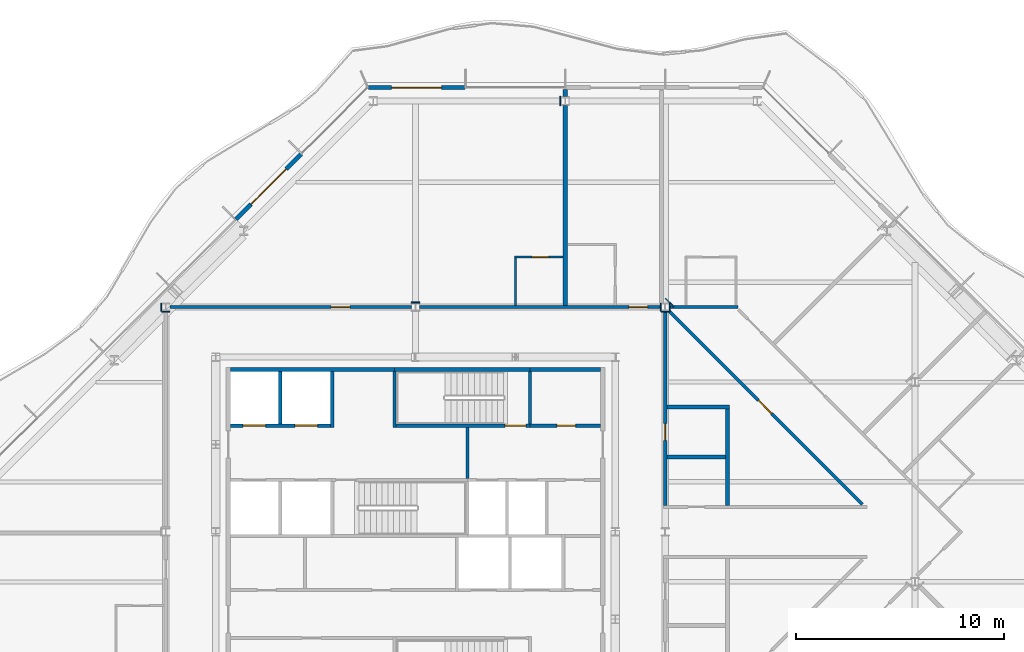
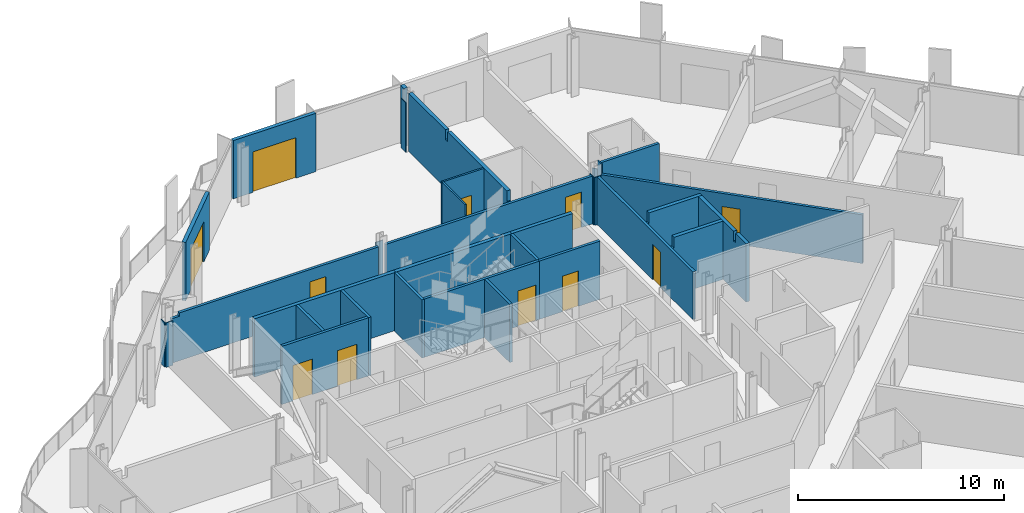
# One storey, part 11 of 17: 33 walls, 11 doors, 11 openings.
"""IFC4 building model written with IfcOpenShell, lengths in metres."""

from ifc_helpers import new_model, si_unit, direction, frame, frame_2d, origin, place, context, subcontext, project, spatial, polyline, rectangle, outline, extrude, material, layer, layer_set, type_object, element, fill, save


model = new_model("IFC4")

# Units and contexts
model_context = context("Model", 3, precision=1e-05, world=origin(), true_north=direction((0.0, 1.0)))
body_context = subcontext(model_context, "Body", "Model", "MODEL_VIEW")
ifc_project = project(units=[si_unit("LENGTHUNIT", "METRE"), si_unit("AREAUNIT", "SQUARE_METRE"), si_unit("VOLUMEUNIT", "CUBIC_METRE"), si_unit("PLANEANGLEUNIT", "RADIAN"), si_unit("MASSUNIT", "GRAM", prefix="KILO")], contexts=[model_context])

# Site, building, storey
site_placement = place(None, origin())
site = spatial("IfcSite", under=ifc_project, at=site_placement, CompositionType="ELEMENT")
building_placement = place(site_placement, origin())
building = spatial("IfcBuilding", under=site, at=building_placement, Name="Cairn Pilgrim Tower", CompositionType="ELEMENT")
storey_placement = place(building_placement, frame((0.0, 0.0, 228.60009765625)))
storey = spatial("IfcBuildingStorey", under=building, at=storey_placement, Name="L58", CompositionType="ELEMENT", Elevation=228.60009765625)

# Wall, opening, door
ifc_material_1 = material(Name="Bronze anodised aluminium insulated sandwich panel with mineral wool fill", Category="aluminium")
ifc_layer_1 = layer(ifc_material_1, 0.199951171875)
ifc_layer_set_1 = layer_set([ifc_layer_1], Name="BRONZE INFILL FRAME WALL 200")
wall_type_1 = type_object("IfcWallType", Name="BRONZE INFILL FRAME WALL 200", PredefinedType="NOTDEFINED", material=ifc_layer_set_1)
wall_1_placement = place(storey_placement, frame((9.570068359375, 23.75, 0.0), z_axis=(0.0, 0.0, 1.0), x_axis=(-1.0, 0.0, 0.0)))
wall_1 = element("IfcWall", 1, at=wall_1_placement, inside=storey, type_object=wall_type_1, Name="Bronze infill frame wall IW-N4", PredefinedType="NOTDEFINED", context=body_context, shape_type="SweptSolid", body=[
    extrude(rectangle(XDim=4.62646484375, YDim=0.199951171875, at=frame_2d((2.313232421875, 0.0))), origin(), (0.0, 0.0, 1.0), 3.449951171875),
])
opening_1_placement = place(wall_1_placement, frame((1.117919921875, 0.0, 0.0)))
opening_1 = element("IfcOpeningElement", 2, at=opening_1_placement, cuts=wall_1, Name="Opening 5810B", PredefinedType="OPENING", context=body_context, shape_type="SweptSolid", body=[
    extrude(rectangle(XDim=2.39990234375, YDim=2.39990234375, at=frame_2d((1.199951171875, 1.199951171875))), frame((0.0, 0.10986328125, 0.0), z_axis=(0.0, -1.0, 0.0), x_axis=(1.0, 0.0, 0.0)), (0.0, 0.0, 1.0), 0.219970703125),
])
ifc_material_2 = material(Name="Bronze anodised aluminium frame with tinted low-E glass", Category="aluminium")
door_type_1 = type_object("IfcDoorType", Name="BALCONY SLIDING DOOR 2400x2400", OperationType="DOUBLE_DOOR_SLIDING", PredefinedType="DOOR", material=ifc_material_2)
door_1_placement = place(opening_1_placement, origin())
door_1 = element("IfcDoor", 3, at=door_1_placement, inside=storey, type_object=door_type_1, Name="Balcony sliding door 5810B", OperationType="SINGLE_SWING_LEFT", OverallHeight=2.39990234375, OverallWidth=2.39990234375, PredefinedType="DOOR", context=body_context, shape_type="SweptSolid", body=[
    extrude(rectangle(XDim=2.39990234375, YDim=2.39990234375, at=frame_2d((1.199951171875, 1.199951171875))), frame((0.0, 0.02490234375, 0.0), z_axis=(0.0, -1.0, 0.0), x_axis=(1.0, 0.0, 0.0)), (0.0, 0.0, 1.0), 0.050048828125),
])
fill(opening_1, door_1)

wall_2_placement = place(storey_placement, frame((1.706787109375, 20.55322265625, 0.0), z_axis=(0.0, 0.0, 1.0), x_axis=(-0.707106781187, -0.707106781187, 0.0)))
wall_2 = element("IfcWall", 4, at=wall_2_placement, inside=storey, type_object=wall_type_1, Name="Bronze infill frame wall IW-NW2", PredefinedType="NOTDEFINED", context=body_context, shape_type="SweptSolid", body=[
    extrude(rectangle(XDim=4.43115234375, YDim=0.199951171875, at=frame_2d((2.215576171875, 0.0))), origin(), (0.0, 0.0, 1.0), 3.449951171875),
])
opening_2_placement = place(wall_2_placement, frame((1.015380859375, 0.0, 0.0)))
opening_2 = element("IfcOpeningElement", 5, at=opening_2_placement, cuts=wall_2, Name="Opening 5810B2", PredefinedType="OPENING", context=body_context, shape_type="SweptSolid", body=[
    extrude(rectangle(XDim=2.39990234375, YDim=2.39990234375, at=frame_2d((1.199951171875, 1.199951171875))), frame((0.0, 0.10986328125, 0.0), z_axis=(0.0, -1.0, 0.0), x_axis=(1.0, 0.0, 0.0)), (0.0, 0.0, 1.0), 0.219970703125),
])
door_2_placement = place(opening_2_placement, origin())
door_2 = element("IfcDoor", 6, at=door_2_placement, inside=storey, type_object=door_type_1, Name="Balcony sliding door 5810B2", OperationType="SINGLE_SWING_LEFT", OverallHeight=2.39990234375, OverallWidth=2.39990234375, PredefinedType="DOOR", context=body_context, shape_type="SweptSolid", body=[
    extrude(rectangle(XDim=2.39990234375, YDim=2.39990234375, at=frame_2d((1.199951171875, 1.199951171875))), frame((0.0, 0.02490234375, 0.0), z_axis=(0.0, -1.0, 0.0), x_axis=(1.0, 0.0, 0.0)), (0.0, 0.0, 1.0), 0.050048828125),
])
fill(opening_2, door_2)

# Walls
ifc_material_3 = material(Name="Concrete C32/40", Category="concrete")
ifc_layer_2 = layer(ifc_material_3, 0.199951171875)
ifc_layer_set_2 = layer_set([ifc_layer_2], Name="CORE OUTER WALL 200 EI 120")
wall_type_2 = type_object("IfcWallType", Name="CORE OUTER WALL 200 EI 120", PredefinedType="SOLIDWALL", material=ifc_layer_set_2)
wall_3_placement = place(storey_placement, frame((-1.699951171875, 10.199951171875, 0.0), z_axis=(0.0, 0.0, 1.0), x_axis=(1.0, 0.0, 0.0)))
element("IfcWall", 7, at=wall_3_placement, inside=storey, type_object=wall_type_2, Name="CW:L58:H12-1", PredefinedType="SOLIDWALL", context=body_context, shape_type="SweptSolid", body=[
    extrude(rectangle(XDim=7.89990234375, YDim=0.199951171875, at=frame_2d((3.949951171875, 0.0))), origin(), (0.0, 0.0, 1.0), 3.449951171875),
])
wall_4_placement = place(storey_placement, frame((12.699951171875, 10.199951171875, 0.0), z_axis=(0.0, 0.0, 1.0), x_axis=(1.0, 0.0, 0.0)))
element("IfcWall", 8, at=wall_4_placement, inside=storey, type_object=wall_type_2, Name="CW:L58:H12-3", PredefinedType="SOLIDWALL", context=body_context, shape_type="SweptSolid", body=[
    extrude(rectangle(XDim=3.400146484375, YDim=0.199951171875, at=frame_2d((1.7001953125, 0.0))), origin(), (0.0, 0.0, 1.0), 3.449951171875),
])

# Wall, openings, doors
ifc_layer_3 = layer(ifc_material_3, 0.14990234375)
ifc_layer_set_3 = layer_set([ifc_layer_3], Name="CORE SHAFT WALL 150 EI 120")
wall_type_3 = type_object("IfcWallType", Name="CORE SHAFT WALL 150 EI 120", PredefinedType="SOLIDWALL", material=ifc_layer_set_3)
wall_5_placement = place(storey_placement, frame((-1.699951171875, 7.5, 0.0), z_axis=(0.0, 0.0, 1.0), x_axis=(1.0, 0.0, 0.0)))
wall_5 = element("IfcWall", 9, at=wall_5_placement, inside=storey, type_object=wall_type_3, Name="CW:L58:H10", PredefinedType="SOLIDWALL", context=body_context, shape_type="SweptSolid", body=[
    extrude(rectangle(XDim=4.824951171875, YDim=0.14990234375, at=frame_2d((2.41259765625, 0.0))), origin(), (0.0, 0.0, 1.0), 3.449951171875),
])
opening_3_placement = place(wall_5_placement, frame((0.60009765625, 0.0, 0.0)))
opening_3 = element("IfcOpeningElement", 10, at=opening_3_placement, cuts=wall_5, Name="Opening LD-HR3", PredefinedType="OPENING", context=body_context, shape_type="SweptSolid", body=[
    extrude(rectangle(XDim=1.10009765625, YDim=2.10009765625, at=frame_2d((0.550048828125, 1.050048828125))), frame((0.0, 0.0849609375, 0.0), z_axis=(0.0, -1.0, 0.0), x_axis=(1.0, 0.0, 0.0)), (0.0, 0.0, 1.0), 0.169921875),
])
opening_4_placement = place(wall_5_placement, frame((3.10009765625, 0.0, 0.0)))
opening_4 = element("IfcOpeningElement", 11, at=opening_4_placement, cuts=wall_5, Name="Opening LD-HR4", PredefinedType="OPENING", context=body_context, shape_type="SweptSolid", body=[
    extrude(rectangle(XDim=1.10009765625, YDim=2.10009765625, at=frame_2d((0.550048828125, 1.050048828125))), frame((0.0, 0.0849609375, 0.0), z_axis=(0.0, -1.0, 0.0), x_axis=(1.0, 0.0, 0.0)), (0.0, 0.0, 1.0), 0.169921875),
])
ifc_material_4 = material(Name="Stainless steel", Category="steel")
door_type_2 = type_object("IfcDoorType", Name="LIFT LANDING DOOR 1100x2100", OperationType="DOUBLE_DOOR_SLIDING", PredefinedType="DOOR", material=ifc_material_4)
door_3_placement = place(opening_3_placement, origin())
door_3 = element("IfcDoor", 12, at=door_3_placement, inside=storey, type_object=door_type_2, Name="LANDING DOOR HR3", OperationType="DOUBLE_DOOR_SLIDING", OverallHeight=2.10009765625, OverallWidth=1.10009765625, PredefinedType="DOOR", context=body_context, shape_type="SweptSolid", body=[
    extrude(rectangle(XDim=1.10009765625, YDim=2.10009765625, at=frame_2d((0.550048828125, 1.050048828125))), frame((0.0, 0.02490234375, 0.0), z_axis=(0.0, -1.0, 0.0), x_axis=(1.0, 0.0, 0.0)), (0.0, 0.0, 1.0), 0.050048828125),
])
fill(opening_3, door_3)
door_4_placement = place(opening_4_placement, origin())
door_4 = element("IfcDoor", 13, at=door_4_placement, inside=storey, type_object=door_type_2, Name="LANDING DOOR HR4", OperationType="DOUBLE_DOOR_SLIDING", OverallHeight=2.10009765625, OverallWidth=1.10009765625, PredefinedType="DOOR", context=body_context, shape_type="SweptSolid", body=[
    extrude(rectangle(XDim=1.10009765625, YDim=2.10009765625, at=frame_2d((0.550048828125, 1.050048828125))), frame((0.0, 0.02490234375, 0.0), z_axis=(0.0, -1.0, 0.0), x_axis=(1.0, 0.0, 0.0)), (0.0, 0.0, 1.0), 0.050048828125),
])
fill(opening_4, door_4)

# Wall, opening, door
wall_6_placement = place(storey_placement, frame((12.699951171875, 7.5, 0.0), z_axis=(0.0, 0.0, 1.0), x_axis=(1.0, 0.0, 0.0)))
wall_6 = element("IfcWall", 14, at=wall_6_placement, inside=storey, type_object=wall_type_3, Name="CW:L58:H11-2", PredefinedType="SOLIDWALL", context=body_context, shape_type="SweptSolid", body=[
    extrude(rectangle(XDim=3.400146484375, YDim=0.14990234375, at=frame_2d((1.7001953125, 0.0))), origin(), (0.0, 0.0, 1.0), 3.449951171875),
])
opening_5_placement = place(wall_6_placement, frame((1.300048828125, 0.0, 0.0)))
opening_5 = element("IfcOpeningElement", 15, at=opening_5_placement, cuts=wall_6, Name="Opening RD-R4E", PredefinedType="OPENING", context=body_context, shape_type="SweptSolid", body=[
    extrude(rectangle(XDim=0.89990234375, YDim=2.10009765625, at=frame_2d((0.449951171875, 1.050048828125))), frame((0.0, 0.0849609375, 0.0), z_axis=(0.0, -1.0, 0.0), x_axis=(1.0, 0.0, 0.0)), (0.0, 0.0, 1.0), 0.169921875),
])
ifc_material_5 = material(Name="Painted steel", Category="steel")
door_type_3 = type_object("IfcDoorType", Name="SERVICE ROOM DOOR 900x2100", OperationType="SINGLE_SWING_LEFT", PredefinedType="DOOR", material=ifc_material_5)
door_5_placement = place(opening_5_placement, origin())
door_5 = element("IfcDoor", 16, at=door_5_placement, inside=storey, type_object=door_type_3, Name="RD-R4E", OperationType="SINGLE_SWING_RIGHT", OverallHeight=2.10009765625, OverallWidth=0.89990234375, PredefinedType="DOOR", context=body_context, shape_type="SweptSolid", body=[
    extrude(rectangle(XDim=0.89990234375, YDim=2.10009765625, at=frame_2d((0.449951171875, 1.050048828125))), frame((0.0, 0.02490234375, 0.0), z_axis=(0.0, -1.0, 0.0), x_axis=(1.0, 0.0, 0.0)), (0.0, 0.0, 1.0), 0.050048828125),
])
fill(opening_5, door_5)

# Walls
wall_7_placement = place(storey_placement, frame((0.699951171875, 7.574951171875, 0.0), z_axis=(0.0, 0.0, 1.0), x_axis=(0.0, 1.0, 0.0)))
element("IfcWall", 17, at=wall_7_placement, inside=storey, type_object=wall_type_3, Name="CW:L58:V15", PredefinedType="SOLIDWALL", context=body_context, shape_type="SweptSolid", body=[
    extrude(rectangle(XDim=2.525146484375, YDim=0.14990234375, at=frame_2d((1.2626953125, 0.0))), origin(), (0.0, 0.0, 1.0), 3.449951171875),
])
wall_8_placement = place(storey_placement, frame((3.199951171875, 7.425048828125, 0.0), z_axis=(0.0, 0.0, 1.0), x_axis=(0.0, 1.0, 0.0)))
element("IfcWall", 18, at=wall_8_placement, inside=storey, type_object=wall_type_3, Name="CW:L58:V18", PredefinedType="SOLIDWALL", context=body_context, shape_type="SweptSolid", body=[
    extrude(rectangle(XDim=2.675048828125, YDim=0.14990234375, at=frame_2d((1.33740234375, 0.0))), origin(), (0.0, 0.0, 1.0), 3.449951171875),
])
wall_9_placement = place(storey_placement, frame((9.699951171875, 4.97509765625, 0.0), z_axis=(0.0, 0.0, 1.0), x_axis=(0.0, 1.0, 0.0)))
element("IfcWall", 19, at=wall_9_placement, inside=storey, type_object=wall_type_3, Name="CW:L58:V23", PredefinedType="SOLIDWALL", context=body_context, shape_type="SweptSolid", body=[
    extrude(rectangle(XDim=2.449951171875, YDim=0.14990234375, at=frame_2d((1.22509765625, 0.0))), origin(), (0.0, 0.0, 1.0), 3.449951171875),
])
ifc_material_6 = material(Name="Gypsum partition")
ifc_layer_4 = layer(ifc_material_6, 0.10009765625)
ifc_layer_set_4 = layer_set([ifc_layer_4], Name="PARTITION 100 DRYWALL")
wall_type_4 = type_object("IfcWallType", Name="PARTITION 100 DRYWALL", PredefinedType="PARTITIONING", material=ifc_layer_set_4)
wall_10_placement = place(storey_placement, frame((12.0, 13.27490234375, 0.0), z_axis=(0.0, 0.0, 1.0), x_axis=(0.0, 1.0, 0.0)))
element("IfcWall", 20, at=wall_10_placement, inside=storey, type_object=wall_type_4, Name="PARTITION W065", PredefinedType="PARTITIONING", context=body_context, shape_type="SweptSolid", body=[
    extrude(outline(polyline([(0.0, 0.0), (2.275146484375, 0.0), (2.27490234375, 3.449951171875), (0.074951171875, 3.449951171875), (0.072998046875, 2.829833984375), (0.0, 2.829833984375), (0.0, 0.0)])), frame((0.0, 0.050048828125, 0.0), z_axis=(0.0, -1.0, 0.0), x_axis=(1.0, 0.0, 0.0)), (0.0, 0.0, 1.0), 0.10009765625),
])

# Wall, opening, door
wall_11_placement = place(storey_placement, frame((11.949951171875, 15.60009765625, 0.0), z_axis=(0.0, 0.0, 1.0), x_axis=(1.0, 0.0, 0.0)))
wall_11 = element("IfcWall", 21, at=wall_11_placement, inside=storey, type_object=wall_type_4, Name="PARTITION W071", PredefinedType="PARTITIONING", context=body_context, shape_type="SweptSolid", body=[
    extrude(rectangle(XDim=2.35009765625, YDim=0.10009765625, at=frame_2d((1.175048828125, 0.0))), origin(), (0.0, 0.0, 1.0), 3.449951171875),
])
opening_6_placement = place(wall_11_placement, frame((0.85009765625, 0.0, 0.0)))
opening_6 = element("IfcOpeningElement", 22, at=opening_6_placement, cuts=wall_11, Name="Opening 5810A", PredefinedType="OPENING", context=body_context, shape_type="SweptSolid", body=[
    extrude(rectangle(XDim=0.800048828125, YDim=2.10009765625, at=frame_2d((0.39990234375, 1.050048828125))), frame((0.0, 0.06005859375, 0.0), z_axis=(0.0, -1.0, 0.0), x_axis=(1.0, 0.0, 0.0)), (0.0, 0.0, 1.0), 0.1201171875),
])
ifc_material_7 = material(Name="Timber door leaf", Category="wood")
door_type_4 = type_object("IfcDoorType", Name="WC DOOR 800x2100", OperationType="NOTDEFINED", PredefinedType="DOOR", material=ifc_material_7)
door_6_placement = place(opening_6_placement, origin())
door_6 = element("IfcDoor", 23, at=door_6_placement, inside=storey, type_object=door_type_4, Name="DOOR 5810A", OperationType="SINGLE_SWING_RIGHT", OverallHeight=2.10009765625, OverallWidth=0.800048828125, PredefinedType="DOOR", context=body_context, shape_type="SweptSolid", body=[
    extrude(rectangle(XDim=0.800048828125, YDim=2.10009765625, at=frame_2d((0.39990234375, 1.050048828125))), frame((0.0, 0.02490234375, 0.0), z_axis=(0.0, -1.0, 0.0), x_axis=(1.0, 0.0, 0.0)), (0.0, 0.0, 1.0), 0.050048828125),
])
fill(opening_6, door_6)

ifc_layer_5 = layer(ifc_material_6, 0.14990234375)
ifc_layer_set_5 = layer_set([ifc_layer_5], Name="PARTITION 150 DRYWALL EI 60")
wall_type_5 = type_object("IfcWallType", Name="PARTITION 150 DRYWALL EI 60", PredefinedType="PARTITIONING", material=ifc_layer_set_5)
wall_12_placement = place(storey_placement, frame((19.199951171875, 3.675048828125, 0.0), z_axis=(0.0, 0.0, 1.0), x_axis=(0.0, 1.0, 0.0)))
wall_12 = element("IfcWall", 24, at=wall_12_placement, inside=storey, type_object=wall_type_5, Name="PARTITION W051", PredefinedType="PARTITIONING", context=body_context, shape_type="SweptSolid", body=[
    extrude(rectangle(XDim=9.328369140625, YDim=0.14990234375, at=frame_2d((4.6640625, 0.0))), origin(), (0.0, 0.0, 1.0), 2.829833984375),
])
opening_7_placement = place(wall_12_placement, frame((3.125, 0.0, 0.0)))
opening_7 = element("IfcOpeningElement", 25, at=opening_7_placement, cuts=wall_12, Name="Opening 5817", PredefinedType="OPENING", context=body_context, shape_type="SweptSolid", body=[
    extrude(rectangle(XDim=0.800048828125, YDim=2.10009765625, at=frame_2d((0.39990234375, 1.050048828125))), frame((0.0, 0.0849609375, 0.0), z_axis=(0.0, -1.0, 0.0), x_axis=(1.0, 0.0, 0.0)), (0.0, 0.0, 1.0), 0.169921875),
])
door_type_5 = type_object("IfcDoorType", Name="WC DOOR 800x2100 FD30S", OperationType="NOTDEFINED", PredefinedType="DOOR", material=ifc_material_7)
door_7_placement = place(opening_7_placement, frame((0.800048828125, 0.0, 0.0), z_axis=(0.0, 0.0, 1.0), x_axis=(-1.0, 0.0, 0.0)))
door_7 = element("IfcDoor", 26, at=door_7_placement, inside=storey, type_object=door_type_5, Name="DOOR 5817", OperationType="SINGLE_SWING_RIGHT", OverallHeight=2.10009765625, OverallWidth=0.800048828125, PredefinedType="DOOR", context=body_context, shape_type="SweptSolid", body=[
    extrude(rectangle(XDim=0.800048828125, YDim=2.10009765625, at=frame_2d((0.39990234375, 1.050048828125))), frame((0.0, 0.02490234375, 0.0), z_axis=(0.0, -1.0, 0.0), x_axis=(1.0, 0.0, 0.0)), (0.0, 0.0, 1.0), 0.050048828125),
])
fill(opening_7, door_7)

wall_13_placement = place(storey_placement, frame((28.672119140625, 3.72802734375, 0.0), z_axis=(0.0, 0.0, 1.0), x_axis=(-0.707116088468, 0.707097473782, 0.0)))
wall_13 = element("IfcWall", 27, at=wall_13_placement, inside=storey, type_object=wall_type_5, Name="PARTITION W053", PredefinedType="PARTITIONING", context=body_context, shape_type="SweptSolid", body=[
    extrude(rectangle(XDim=13.115478515625, YDim=0.14990234375, at=frame_2d((6.5576171875, 0.0))), origin(), (0.0, 0.0, 1.0), 2.8798828125),
])
opening_8_placement = place(wall_13_placement, frame((6.156982421875, 0.0, 0.0)))
opening_8 = element("IfcOpeningElement", 28, at=opening_8_placement, cuts=wall_13, Name="Opening 5821", PredefinedType="OPENING", context=body_context, shape_type="SweptSolid", body=[
    extrude(rectangle(XDim=0.89990234375, YDim=2.10009765625, at=frame_2d((0.449951171875, 1.050048828125))), frame((0.0, 0.0849609375, 0.0), z_axis=(0.0, -1.0, 0.0), x_axis=(1.0, 0.0, 0.0)), (0.0, 0.0, 1.0), 0.169921875),
])
door_type_6 = type_object("IfcDoorType", Name="SERVICE DOOR 900x2100 FD30S", OperationType="NOTDEFINED", PredefinedType="DOOR", material=ifc_material_7)
door_8_placement = place(opening_8_placement, origin())
door_8 = element("IfcDoor", 29, at=door_8_placement, inside=storey, type_object=door_type_6, Name="DOOR 5821", OperationType="SINGLE_SWING_LEFT", OverallHeight=2.10009765625, OverallWidth=0.89990234375, PredefinedType="DOOR", context=body_context, shape_type="SweptSolid", body=[
    extrude(rectangle(XDim=0.89990234375, YDim=2.10009765625, at=frame_2d((0.449951171875, 1.050048828125))), frame((0.0, 0.02490234375, 0.0), z_axis=(0.0, -1.0, 0.0), x_axis=(1.0, 0.0, 0.0)), (0.0, 0.0, 1.0), 0.050048828125),
])
fill(opening_8, door_8)

wall_14_placement = place(storey_placement, frame((-4.6005859375, 13.199951171875, 0.0), z_axis=(0.0, 0.0, 1.0), x_axis=(1.0, 0.0, 0.0)))
wall_14 = element("IfcWall", 30, at=wall_14_placement, inside=storey, type_object=wall_type_5, Name="PARTITION W062", PredefinedType="PARTITIONING", context=body_context, shape_type="SweptSolid", body=[
    extrude(outline(polyline([(0.0, 0.0), (11.60107421875, 0.0), (11.60107421875, 2.829833984375), (0.443359375, 2.829833984375), (0.44140625, 2.6298828125), (0.0, 2.6298828125), (0.0, 0.0)])), frame((0.0, 0.074951171875, 0.0), z_axis=(0.0, -1.0, 0.0), x_axis=(1.0, 0.0, 0.0)), (0.0, 0.0, 1.0), 0.14990234375),
])
opening_9_placement = place(wall_14_placement, frame((7.75048828125, 0.0, 0.0)))
opening_9 = element("IfcOpeningElement", 31, at=opening_9_placement, cuts=wall_14, Name="Opening 5810", PredefinedType="OPENING", context=body_context, shape_type="SweptSolid", body=[
    extrude(rectangle(XDim=0.89990234375, YDim=2.10009765625, at=frame_2d((0.449951171875, 1.050048828125))), frame((0.0, 0.0849609375, 0.0), z_axis=(0.0, -1.0, 0.0), x_axis=(1.0, 0.0, 0.0)), (0.0, 0.0, 1.0), 0.169921875),
])
door_type_7 = type_object("IfcDoorType", Name="ROOM DOOR 900x2100 FD30S", OperationType="NOTDEFINED", PredefinedType="DOOR", material=ifc_material_7)
door_9_placement = place(opening_9_placement, origin())
door_9 = element("IfcDoor", 32, at=door_9_placement, inside=storey, type_object=door_type_7, Name="DOOR 5810", OperationType="SINGLE_SWING_RIGHT", OverallHeight=2.10009765625, OverallWidth=0.89990234375, PredefinedType="DOOR", context=body_context, shape_type="SweptSolid", body=[
    extrude(rectangle(XDim=0.89990234375, YDim=2.10009765625, at=frame_2d((0.449951171875, 1.050048828125))), frame((0.0, 0.02490234375, 0.0), z_axis=(0.0, -1.0, 0.0), x_axis=(1.0, 0.0, 0.0)), (0.0, 0.0, 1.0), 0.050048828125),
])
fill(opening_9, door_9)

wall_15_placement = place(storey_placement, frame((7.3994140625, 13.199951171875, 0.0), z_axis=(0.0, 0.0, 1.0), x_axis=(1.0, 0.0, 0.0)))
wall_15 = element("IfcWall", 33, at=wall_15_placement, inside=storey, type_object=wall_type_5, Name="PARTITION W063", PredefinedType="PARTITIONING", context=body_context, shape_type="SweptSolid", body=[
    extrude(rectangle(XDim=11.60107421875, YDim=0.14990234375, at=frame_2d((5.800537109375, 0.0))), origin(), (0.0, 0.0, 1.0), 2.829833984375),
])
opening_10_placement = place(wall_15_placement, frame((10.0576171875, 0.0, 0.0)))
opening_10 = element("IfcOpeningElement", 34, at=opening_10_placement, cuts=wall_15, Name="Opening 5809", PredefinedType="OPENING", context=body_context, shape_type="SweptSolid", body=[
    extrude(rectangle(XDim=0.89990234375, YDim=2.10009765625, at=frame_2d((0.449951171875, 1.050048828125))), frame((0.0, 0.0849609375, 0.0), z_axis=(0.0, -1.0, 0.0), x_axis=(1.0, 0.0, 0.0)), (0.0, 0.0, 1.0), 0.169921875),
])
door_10_placement = place(opening_10_placement, origin())
door_10 = element("IfcDoor", 35, at=door_10_placement, inside=storey, type_object=door_type_7, Name="DOOR 5809", OperationType="SINGLE_SWING_LEFT", OverallHeight=2.10009765625, OverallWidth=0.89990234375, PredefinedType="DOOR", context=body_context, shape_type="SweptSolid", body=[
    extrude(rectangle(XDim=0.89990234375, YDim=2.10009765625, at=frame_2d((0.449951171875, 1.050048828125))), frame((0.0, 0.02490234375, 0.0), z_axis=(0.0, -1.0, 0.0), x_axis=(1.0, 0.0, 0.0)), (0.0, 0.0, 1.0), 0.050048828125),
])
fill(opening_10, door_10)

# Walls
wall_16_placement = place(storey_placement, frame((19.3994140625, 13.199951171875, 0.0), z_axis=(0.0, 0.0, 1.0), x_axis=(1.0, 0.0, 0.0)))
element("IfcWall", 36, at=wall_16_placement, inside=storey, type_object=wall_type_5, Name="PARTITION W064", PredefinedType="PARTITIONING", context=body_context, shape_type="SweptSolid", body=[
    extrude(rectangle(XDim=3.30078125, YDim=0.14990234375, at=frame_2d((1.650390625, 0.0))), origin(), (0.0, 0.0, 1.0), 3.449951171875),
])
ifc_layer_6 = layer(ifc_material_6, 0.050048828125)
ifc_layer_set_6 = layer_set([ifc_layer_6], Name="PARTITION 50 DRYWALL EI 60")
wall_type_6 = type_object("IfcWallType", Name="PARTITION 50 DRYWALL EI 60", PredefinedType="PARTITIONING", material=ifc_layer_set_6)
wall_17_placement = place(storey_placement, frame((-5.0244140625, 13.00341796875, 0.0), z_axis=(0.0, 0.0, 1.0), x_axis=(0.0, 1.0, 0.0)))
element("IfcWall", 37, at=wall_17_placement, inside=storey, type_object=wall_type_6, Name="COLUMN CASING WC10", PredefinedType="PARTITIONING", context=body_context, shape_type="SweptSolid", body=[
    extrude(rectangle(XDim=0.39306640625, YDim=0.050048828125, at=frame_2d((0.196533203125, 0.0))), origin(), (0.0, 0.0, 1.0), 2.6298828125),
])
wall_18_placement = place(storey_placement, frame((18.9755859375, 13.00341796875, 0.0), z_axis=(0.0, 0.0, 1.0), x_axis=(0.0, 1.0, 0.0)))
element("IfcWall", 38, at=wall_18_placement, inside=storey, type_object=wall_type_6, Name="COLUMN CASING WC17", PredefinedType="PARTITIONING", context=body_context, shape_type="SweptSolid", body=[
    extrude(rectangle(XDim=0.39306640625, YDim=0.050048828125, at=frame_2d((0.196533203125, 0.0))), origin(), (0.0, 0.0, 1.0), 2.829833984375),
])
wall_19_placement = place(storey_placement, frame((19.61376953125, 13.2177734375, 0.0), z_axis=(0.0, 0.0, 1.0), x_axis=(-0.707106781187, 0.707106781187, 0.0)))
element("IfcWall", 39, at=wall_19_placement, inside=storey, type_object=wall_type_6, Name="COLUMN CASING WC18", PredefinedType="PARTITIONING", context=body_context, shape_type="SweptSolid", body=[
    extrude(rectangle(XDim=0.56005859375, YDim=0.050048828125, at=frame_2d((0.280029296875, 0.0))), origin(), (0.0, 0.0, 1.0), 2.929931640625),
])
wall_20_placement = place(storey_placement, frame((-4.99951171875, 12.978515625, 0.0), z_axis=(0.0, 0.0, 1.0), x_axis=(1.0, 0.0, 0.0)))
element("IfcWall", 40, at=wall_20_placement, inside=storey, type_object=wall_type_6, Name="COLUMN CASING WC22", PredefinedType="PARTITIONING", context=body_context, shape_type="SweptSolid", body=[
    extrude(rectangle(XDim=0.39892578125, YDim=0.050048828125, at=frame_2d((0.199462890625, 0.0))), origin(), (0.0, 0.0, 1.0), 2.6298828125),
])
wall_21_placement = place(storey_placement, frame((7.00048828125, 13.42138671875, 0.0), z_axis=(0.0, 0.0, 1.0), x_axis=(1.0, 0.0, 0.0)))
element("IfcWall", 41, at=wall_21_placement, inside=storey, type_object=wall_type_6, Name="COLUMN CASING WC23", PredefinedType="PARTITIONING", context=body_context, shape_type="SweptSolid", body=[
    extrude(rectangle(XDim=0.39892578125, YDim=0.050048828125, at=frame_2d((0.199462890625, 0.0))), origin(), (0.0, 0.0, 1.0), 2.929931640625),
])
wall_22_placement = place(storey_placement, frame((19.00048828125, 12.978515625, 0.0), z_axis=(0.0, 0.0, 1.0), x_axis=(1.0, 0.0, 0.0)))
element("IfcWall", 42, at=wall_22_placement, inside=storey, type_object=wall_type_6, Name="COLUMN CASING WC24", PredefinedType="PARTITIONING", context=body_context, shape_type="SweptSolid", body=[
    extrude(rectangle(XDim=0.39892578125, YDim=0.050048828125, at=frame_2d((0.199462890625, 0.0))), origin(), (0.0, 0.0, 1.0), 2.829833984375),
])
wall_23_placement = place(storey_placement, frame((14.1669921875, 22.876953125, 0.0), z_axis=(0.0, 0.0, 1.0), x_axis=(0.0, 1.0, 0.0)))
element("IfcWall", 43, at=wall_23_placement, inside=storey, type_object=wall_type_6, Name="COLUMN CASING WC25", PredefinedType="PARTITIONING", context=body_context, shape_type="SweptSolid", body=[
    extrude(rectangle(XDim=0.446044921875, YDim=0.050048828125, at=frame_2d((0.22314453125, 0.0))), origin(), (0.0, 0.0, 1.0), 2.929931640625),
])
wall_24_placement = place(storey_placement, frame((19.424560546875, 13.00341796875, 0.0), z_axis=(0.0, 0.0, 1.0), x_axis=(0.0, 1.0, 0.0)))
element("IfcWall", 44, at=wall_24_placement, inside=storey, type_object=wall_type_6, Name="COLUMN CASING WC26", PredefinedType="PARTITIONING", context=body_context, shape_type="SweptSolid", body=[
    extrude(rectangle(XDim=0.39306640625, YDim=0.050048828125, at=frame_2d((0.196533203125, 0.0))), origin(), (0.0, 0.0, 1.0), 3.449951171875),
])
ifc_layer_7 = layer(ifc_material_6, 0.199951171875)
ifc_layer_set_7 = layer_set([ifc_layer_7], Name="SHAFT WALL 200 GYPSUM EI 60")
wall_type_7 = type_object("IfcWallType", Name="SHAFT WALL 200 GYPSUM EI 60", PredefinedType="PARTITIONING", material=ifc_layer_set_7)
wall_25_placement = place(storey_placement, frame((22.199951171875, 3.675048828125, 0.0), z_axis=(0.0, 0.0, 1.0), x_axis=(0.0, 1.0, 0.0)))
element("IfcWall", 45, at=wall_25_placement, inside=storey, type_object=wall_type_7, Name="PARTITION W052", PredefinedType="PARTITIONING", context=body_context, shape_type="SweptSolid", body=[
    extrude(outline(polyline([(0.0, 0.0), (4.625, 0.0), (4.625, 3.449951171875), (1.22998046875, 3.449951171875), (1.22802734375, 2.8798828125), (1.02001953125, 2.8798828125), (1.01806640625, 3.449951171875), (0.0, 3.449951171875), (0.0, 0.0)])), frame((0.0, 0.10009765625, 0.0), z_axis=(0.0, -1.0, 0.0), x_axis=(1.0, 0.0, 0.0)), (0.0, 0.0, 1.0), 0.199951171875),
])
wall_26_placement = place(storey_placement, frame((19.27490234375, 6.0, 0.0), z_axis=(0.0, 0.0, 1.0), x_axis=(1.0, 0.0, 0.0)))
element("IfcWall", 46, at=wall_26_placement, inside=storey, type_object=wall_type_7, Name="PARTITION W056", PredefinedType="PARTITIONING", context=body_context, shape_type="SweptSolid", body=[
    extrude(outline(polyline([(0.0, 0.0), (2.8251953125, 0.0), (2.824951171875, 3.449951171875), (0.074951171875, 3.449951171875), (0.072998046875, 2.829833984375), (0.0, 2.829833984375), (0.0, 0.0)])), frame((0.0, 0.10009765625, 0.0), z_axis=(0.0, -1.0, 0.0), x_axis=(1.0, 0.0, 0.0)), (0.0, 0.0, 1.0), 0.199951171875),
])
wall_27_placement = place(storey_placement, frame((19.27490234375, 8.39990234375, 0.0), z_axis=(0.0, 0.0, 1.0), x_axis=(1.0, 0.0, 0.0)))
element("IfcWall", 47, at=wall_27_placement, inside=storey, type_object=wall_type_7, Name="PARTITION W058", PredefinedType="PARTITIONING", context=body_context, shape_type="SweptSolid", body=[
    extrude(outline(polyline([(0.0, 0.0), (3.025146484375, 0.0), (3.02490234375, 3.449951171875), (0.074951171875, 3.449951171875), (0.072998046875, 2.829833984375), (0.0, 2.829833984375), (0.0, 0.0)])), frame((0.0, 0.10009765625, 0.0), z_axis=(0.0, -1.0, 0.0), x_axis=(1.0, 0.0, 0.0)), (0.0, 0.0, 1.0), 0.199951171875),
])
wall_28_placement = place(storey_placement, frame((14.39990234375, 13.27490234375, 0.0), z_axis=(0.0, 0.0, 1.0), x_axis=(0.0, 1.0, 0.0)))
element("IfcWall", 48, at=wall_28_placement, inside=storey, type_object=wall_type_7, Name="PARTITION W066", PredefinedType="PARTITIONING", context=body_context, shape_type="SweptSolid", body=[
    extrude(outline(polyline([(0.0, 0.0), (9.60205078125, 0.0), (9.60205078125, 3.449951171875), (6.030029296875, 3.449951171875), (6.028076171875, 2.8798828125), (5.820068359375, 2.8798828125), (5.818115234375, 3.449951171875), (0.074951171875, 3.449951171875), (0.072998046875, 2.829833984375), (0.0, 2.829833984375), (0.0, 0.0)])), frame((0.0, 0.10009765625, 0.0), z_axis=(0.0, -1.0, 0.0), x_axis=(1.0, 0.0, 0.0)), (0.0, 0.0, 1.0), 0.199951171875),
])
wall_29_placement = place(storey_placement, frame((14.39990234375, 23.322998046875, 0.0), z_axis=(0.0, 0.0, 1.0), x_axis=(0.0, 1.0, 0.0)))
element("IfcWall", 49, at=wall_29_placement, inside=storey, type_object=wall_type_7, Name="PARTITION W075", PredefinedType="PARTITIONING", context=body_context, shape_type="SweptSolid", body=[
    extrude(rectangle(XDim=0.326904296875, YDim=0.199951171875, at=frame_2d((0.16357421875, 0.0))), origin(), (0.0, 0.0, 1.0), 3.449951171875),
])

# Wall, opening, door
ifc_material_8 = material(Name="Concrete C35/45", Category="concrete")
ifc_layer_8 = layer(ifc_material_8, 0.14990234375)
ifc_layer_set_8 = layer_set([ifc_layer_8], Name="STAIR SHAFT WALL 150 EI 120")
wall_type_8 = type_object("IfcWallType", Name="STAIR SHAFT WALL 150 EI 120", PredefinedType="SOLIDWALL", material=ifc_layer_set_8)
wall_30_placement = place(storey_placement, frame((6.27490234375, 7.5, 0.0), z_axis=(0.0, 0.0, 1.0), x_axis=(1.0, 0.0, 0.0)))
wall_30 = element("IfcWall", 50, at=wall_30_placement, inside=storey, type_object=wall_type_8, Name="CW:L58:H11-1", PredefinedType="SOLIDWALL", context=body_context, shape_type="SweptSolid", body=[
    extrude(rectangle(XDim=6.425048828125, YDim=0.14990234375, at=frame_2d((3.21240234375, 0.0))), origin(), (0.0, 0.0, 1.0), 3.449951171875),
])
opening_11_placement = place(wall_30_placement, frame((5.22509765625, 0.0, 0.0)))
opening_11 = element("IfcOpeningElement", 51, at=opening_11_placement, cuts=wall_30, Name="Opening SD-C", PredefinedType="OPENING", context=body_context, shape_type="SweptSolid", body=[
    extrude(rectangle(XDim=1.0, YDim=2.10009765625, at=frame_2d((0.5, 1.050048828125))), frame((0.0, 0.0849609375, 0.0), z_axis=(0.0, -1.0, 0.0), x_axis=(1.0, 0.0, 0.0)), (0.0, 0.0, 1.0), 0.169921875),
])
door_type_8 = type_object("IfcDoorType", Name="STAIR DOOR FD60S 1000x2100", OperationType="SINGLE_SWING_LEFT", PredefinedType="DOOR", material=ifc_material_5)
door_11_placement = place(opening_11_placement, origin())
door_11 = element("IfcDoor", 52, at=door_11_placement, inside=storey, type_object=door_type_8, Name="SD-C", OperationType="SINGLE_SWING_LEFT", OverallHeight=2.10009765625, OverallWidth=1.0, PredefinedType="DOOR", context=body_context, shape_type="SweptSolid", body=[
    extrude(rectangle(XDim=1.0, YDim=2.10009765625, at=frame_2d((0.5, 1.050048828125))), frame((0.0, 0.02490234375, 0.0), z_axis=(0.0, -1.0, 0.0), x_axis=(1.0, 0.0, 0.0)), (0.0, 0.0, 1.0), 0.050048828125),
])
fill(opening_11, door_11)

# Walls
wall_31_placement = place(storey_placement, frame((6.199951171875, 7.425048828125, 0.0), z_axis=(0.0, 0.0, 1.0), x_axis=(0.0, 1.0, 0.0)))
element("IfcWall", 53, at=wall_31_placement, inside=storey, type_object=wall_type_8, Name="CW:L58:V20", PredefinedType="SOLIDWALL", context=body_context, shape_type="SweptSolid", body=[
    extrude(rectangle(XDim=2.675048828125, YDim=0.14990234375, at=frame_2d((1.33740234375, 0.0))), origin(), (0.0, 0.0, 1.0), 3.449951171875),
])
wall_32_placement = place(storey_placement, frame((12.699951171875, 7.574951171875, 0.0), z_axis=(0.0, 0.0, 1.0), x_axis=(0.0, 1.0, 0.0)))
element("IfcWall", 54, at=wall_32_placement, inside=storey, type_object=wall_type_8, Name="CW:L58:V27", PredefinedType="SOLIDWALL", context=body_context, shape_type="SweptSolid", body=[
    extrude(rectangle(XDim=2.525146484375, YDim=0.14990234375, at=frame_2d((1.2626953125, 0.0))), origin(), (0.0, 0.0, 1.0), 3.449951171875),
])
ifc_layer_9 = layer(ifc_material_8, 0.199951171875)
ifc_layer_set_9 = layer_set([ifc_layer_9], Name="STAIR SHAFT WALL 200 EI 120")
wall_type_9 = type_object("IfcWallType", Name="STAIR SHAFT WALL 200 EI 120", PredefinedType="SOLIDWALL", material=ifc_layer_set_9)
wall_33_placement = place(storey_placement, frame((6.199951171875, 10.199951171875, 0.0), z_axis=(0.0, 0.0, 1.0), x_axis=(1.0, 0.0, 0.0)))
element("IfcWall", 55, at=wall_33_placement, inside=storey, type_object=wall_type_9, Name="CW:L58:H12-2", PredefinedType="SOLIDWALL", context=body_context, shape_type="SweptSolid", body=[
    extrude(rectangle(XDim=6.5, YDim=0.199951171875, at=frame_2d((3.25, 0.0))), origin(), (0.0, 0.0, 1.0), 3.449951171875),
])

save(model, "model.ifc")
